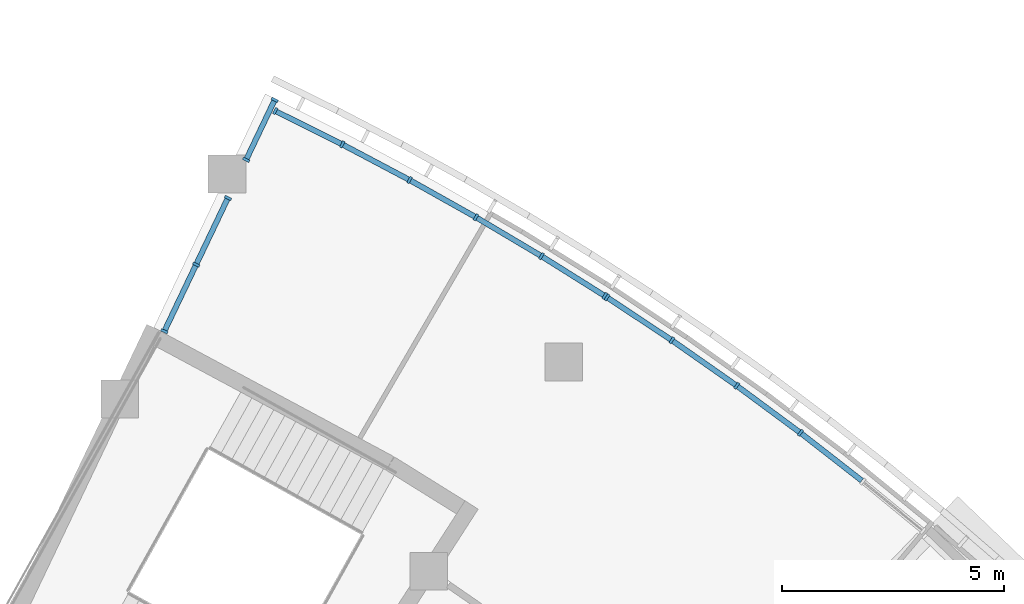
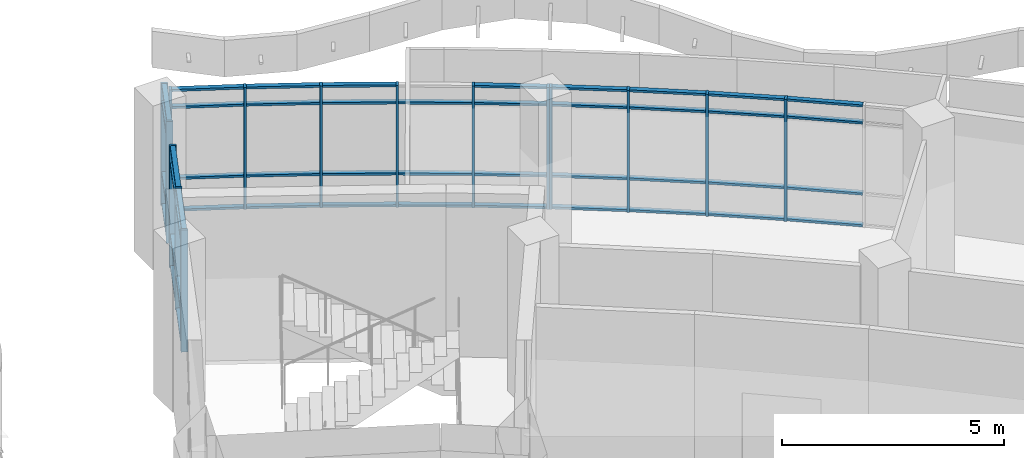
# One storey, part 33 of 136: 62 members, 4 elements without a shape of their own.
"""IFC4 building model written with IfcOpenShell, lengths in metres."""

from ifc_helpers import new_model, si_unit, direction, frame, origin, origin_2d, place, context, subcontext, project, spatial, rectangle, extrude, material, material_profile, profile_set, type_object, element, aggregate, save


model = new_model("IFC4")

# Units and contexts
model_context = context("Model", 3, precision=1e-05, world=origin(), true_north=direction((0.0, 1.0)))
body_context = subcontext(model_context, "Body", "Model", "MODEL_VIEW")
ifc_project = project(units=[si_unit("LENGTHUNIT", "METRE"), si_unit("AREAUNIT", "SQUARE_METRE"), si_unit("VOLUMEUNIT", "CUBIC_METRE"), si_unit("PLANEANGLEUNIT", "RADIAN"), si_unit("MASSUNIT", "GRAM", prefix="KILO")], contexts=[model_context])

# Site, building, storey
site_placement = place(None, origin())
site = spatial("IfcSite", under=ifc_project, at=site_placement, CompositionType="ELEMENT")
building_placement = place(site_placement, origin())
building = spatial("IfcBuilding", under=site, at=building_placement, Name="Bougainvillea Quay General Hospital", CompositionType="ELEMENT")
storey_placement = place(building_placement, frame((0.0, 0.0, 5.39990234375)))
storey = spatial("IfcBuildingStorey", under=building, at=storey_placement, Name="L01", CompositionType="ELEMENT", Elevation=5.39990234375)

# Curtain wall, members
ifc_material_1 = material(Name="Aluminium curtain wall system, powder-coated glazed", Category="aluminium")
curtain_wall_type_1 = type_object("IfcCurtainWallType", Name="Unitised curtain wall CW-2100", PredefinedType="NOTDEFINED", material=ifc_material_1)
curtain_wall_1_placement = place(storey_placement, origin())
curtain_wall_1 = element("IfcCurtainWall", 1, at=curtain_wall_1_placement, inside=storey, type_object=curtain_wall_type_1, Name="CW-E01 a23b0", PredefinedType="NOTDEFINED")
ifc_material_2 = material(Name="Aluminium mullion, powder-coated charcoal", Category="aluminium")
ifc_material_profile_1 = material_profile(ifc_material_2, rectangle(XDim=0.159912109375, YDim=0.06005859375, at=origin_2d()))
ifc_profile_set_1 = profile_set([ifc_material_profile_1], Name="Aluminium mullion, powder-coated charcoal")
member_type_1 = type_object("IfcMemberType", Name="Curtain wall mullion 160x60", PredefinedType="MULLION", material=ifc_profile_set_1)
member_1_placement = place(storey_placement, frame((139.560791015625, 84.795654296875, 0.0), z_axis=(0.0, 0.0, 1.0), x_axis=(0.445913540048, 0.895076038559, 0.0)))
member_1 = element("IfcMember", 2, at=member_1_placement, type_object=member_type_1, Name="CW-E01 mullion 1", PredefinedType="MULLION", context=body_context, shape_type="SweptSolid", body=[
    extrude(rectangle(XDim=0.159912109375, YDim=0.06005859375, at=origin_2d()), origin(), (0.0, 0.0, 1.0), 3.35009765625),
])
member_2_placement = place(storey_placement, frame((141.066650390625, 84.04541015625, 0.0), z_axis=(0.0, 0.0, 1.0), x_axis=(0.456867500117, 0.889534758926, 0.0)))
member_2 = element("IfcMember", 3, at=member_2_placement, type_object=member_type_1, Name="CW-E01 mullion 2", PredefinedType="MULLION", context=body_context, shape_type="SweptSolid", body=[
    extrude(rectangle(XDim=0.159912109375, YDim=0.06005859375, at=origin_2d()), origin(), (0.0, 0.0, 1.0), 3.35009765625),
])
member_3_placement = place(storey_placement, frame((142.580322265625, 83.244384765625, 0.0), z_axis=(0.0, 0.0, 1.0), x_axis=(0.478567236935, 0.878050909534, 0.0)))
member_3 = element("IfcMember", 4, at=member_3_placement, type_object=member_type_1, Name="CW-E01 mullion 3", PredefinedType="MULLION", context=body_context, shape_type="SweptSolid", body=[
    extrude(rectangle(XDim=0.159912109375, YDim=0.06005859375, at=origin_2d()), origin(), (0.0, 0.0, 1.0), 3.35009765625),
])
member_4_placement = place(storey_placement, frame((144.07373046875, 82.406494140625, 0.0), z_axis=(0.0, 0.0, 1.0), x_axis=(0.499978513836, 0.866037808472, 0.0)))
member_4 = element("IfcMember", 5, at=member_4_placement, type_object=member_type_1, Name="CW-E01 mullion 4", PredefinedType="MULLION", context=body_context, shape_type="SweptSolid", body=[
    extrude(rectangle(XDim=0.159912109375, YDim=0.06005859375, at=origin_2d()), origin(), (0.0, 0.0, 1.0), 3.35009765625),
])
member_5_placement = place(storey_placement, frame((145.546142578125, 81.5322265625, 0.0), z_axis=(0.0, 0.0, 1.0), x_axis=(0.521088424985, 0.853502696742, 0.0)))
member_5 = element("IfcMember", 6, at=member_5_placement, type_object=member_type_1, Name="CW-E01 mullion 5", PredefinedType="MULLION", context=body_context, shape_type="SweptSolid", body=[
    extrude(rectangle(XDim=0.159912109375, YDim=0.06005859375, at=origin_2d()), origin(), (0.0, 0.0, 1.0), 3.35009765625),
])
member_6_placement = place(storey_placement, frame((146.97119140625, 80.637939453125, 0.0), z_axis=(0.0, 0.0, 1.0), x_axis=(0.531526384812, 0.847041735837, 0.0)))
member_6 = element("IfcMember", 7, at=member_6_placement, type_object=member_type_1, Name="CW-E01 mullion 6", PredefinedType="MULLION", context=body_context, shape_type="SweptSolid", body=[
    extrude(rectangle(XDim=0.159912109375, YDim=0.06005859375, at=origin_2d()), origin(), (0.0, 0.0, 1.0), 3.35009765625),
])

curtain_wall_2_placement = place(storey_placement, origin())
curtain_wall_2 = element("IfcCurtainWall", 8, at=curtain_wall_2_placement, inside=storey, type_object=curtain_wall_type_1, Name="CW-E02 a23b1", PredefinedType="NOTDEFINED")
member_7_placement = place(storey_placement, frame((147.021728515625, 80.60546875, 0.0), z_axis=(0.0, 0.0, 1.0), x_axis=(0.552565563465, 0.833469434396, 0.0)))
member_7 = element("IfcMember", 9, at=member_7_placement, type_object=member_type_1, Name="CW-E02 mullion 1", PredefinedType="MULLION", context=body_context, shape_type="SweptSolid", body=[
    extrude(rectangle(XDim=0.159912109375, YDim=0.06005859375, at=origin_2d()), origin(), (0.0, 0.0, 1.0), 3.35009765625),
])
member_8_placement = place(storey_placement, frame((148.48046875, 79.63818359375, 0.0), z_axis=(0.0, 0.0, 1.0), x_axis=(0.56315688844, 0.826349997884, 0.0)))
member_8 = element("IfcMember", 10, at=member_8_placement, type_object=member_type_1, Name="CW-E02 mullion 2", PredefinedType="MULLION", context=body_context, shape_type="SweptSolid", body=[
    extrude(rectangle(XDim=0.159912109375, YDim=0.06005859375, at=origin_2d()), origin(), (0.0, 0.0, 1.0), 3.35009765625),
])
member_9_placement = place(storey_placement, frame((149.938720703125, 78.616943359375, 0.0), z_axis=(0.0, 0.0, 1.0), x_axis=(0.584062676911, 0.811708561886, 0.0)))
member_9 = element("IfcMember", 11, at=member_9_placement, type_object=member_type_1, Name="CW-E02 mullion 3", PredefinedType="MULLION", context=body_context, shape_type="SweptSolid", body=[
    extrude(rectangle(XDim=0.159912109375, YDim=0.06005859375, at=origin_2d()), origin(), (0.0, 0.0, 1.0), 3.35009765625),
])
member_10_placement = place(storey_placement, frame((151.370361328125, 77.558837890625, 0.0), z_axis=(0.0, 0.0, 1.0), x_axis=(0.604587993148, 0.796538359743, 0.0)))
member_10 = element("IfcMember", 12, at=member_10_placement, type_object=member_type_1, Name="CW-E02 mullion 4", PredefinedType="MULLION", context=body_context, shape_type="SweptSolid", body=[
    extrude(rectangle(XDim=0.159912109375, YDim=0.06005859375, at=origin_2d()), origin(), (0.0, 0.0, 1.0), 3.35009765625),
])

curtain_wall_type_2 = type_object("IfcCurtainWallType", Name="Unitised curtain wall CW-1555", PredefinedType="NOTDEFINED", material=ifc_material_1)
curtain_wall_3_placement = place(storey_placement, origin())
curtain_wall_3 = element("IfcCurtainWall", 13, at=curtain_wall_3_placement, inside=storey, type_object=curtain_wall_type_2, Name="CW-AE 00", PredefinedType="NOTDEFINED")
member_11_placement = place(storey_placement, frame((139.548828125, 85.04638671875, 0.0), z_axis=(0.0, 0.0, 1.0), x_axis=(0.902576055431, -0.430530445105, 0.0)))
member_11 = element("IfcMember", 14, at=member_11_placement, type_object=member_type_1, Name="CW-AE mullion 1", PredefinedType="MULLION", context=body_context, shape_type="SweptSolid", body=[
    extrude(rectangle(XDim=0.159912109375, YDim=0.06005859375, at=origin_2d()), origin(), (0.0, 0.0, 1.0), 3.35009765625),
])
member_12_placement = place(storey_placement, frame((138.9052734375, 83.697021484375, 0.0), z_axis=(0.0, 0.0, 1.0), x_axis=(0.902576055431, -0.430530445105, 0.0)))
member_12 = element("IfcMember", 15, at=member_12_placement, type_object=member_type_1, Name="CW-AE mullion 2", PredefinedType="MULLION", context=body_context, shape_type="SweptSolid", body=[
    extrude(rectangle(XDim=0.159912109375, YDim=0.06005859375, at=origin_2d()), origin(), (0.0, 0.0, 1.0), 3.35009765625),
])

curtain_wall_type_3 = type_object("IfcCurtainWallType", Name="Unitised curtain wall CW-1691", PredefinedType="NOTDEFINED", material=ifc_material_1)
curtain_wall_4_placement = place(storey_placement, origin())
curtain_wall_4 = element("IfcCurtainWall", 16, at=curtain_wall_4_placement, inside=storey, type_object=curtain_wall_type_3, Name="CW-AE 01", PredefinedType="NOTDEFINED")
member_13_placement = place(storey_placement, frame((138.49609375, 82.839599609375, 0.0), z_axis=(0.0, 0.0, 1.0), x_axis=(0.902576055431, -0.430530445105, 0.0)))
member_13 = element("IfcMember", 17, at=member_13_placement, type_object=member_type_1, Name="CW-AE mullion 1", PredefinedType="MULLION", context=body_context, shape_type="SweptSolid", body=[
    extrude(rectangle(XDim=0.159912109375, YDim=0.06005859375, at=origin_2d()), origin(), (0.0, 0.0, 1.0), 3.35009765625),
])
member_14_placement = place(storey_placement, frame((137.78125, 81.341064453125, 0.0), z_axis=(0.0, 0.0, 1.0), x_axis=(0.902576055431, -0.430530445105, 0.0)))
member_14 = element("IfcMember", 18, at=member_14_placement, type_object=member_type_1, Name="CW-AE mullion 2", PredefinedType="MULLION", context=body_context, shape_type="SweptSolid", body=[
    extrude(rectangle(XDim=0.159912109375, YDim=0.06005859375, at=origin_2d()), origin(), (0.0, 0.0, 1.0), 3.35009765625),
])
member_15_placement = place(storey_placement, frame((137.066650390625, 79.842529296875, 0.0), z_axis=(0.0, 0.0, 1.0), x_axis=(0.902576055431, -0.430530445105, 0.0)))
member_15 = element("IfcMember", 19, at=member_15_placement, type_object=member_type_1, Name="CW-AE mullion 3", PredefinedType="MULLION", context=body_context, shape_type="SweptSolid", body=[
    extrude(rectangle(XDim=0.159912109375, YDim=0.06005859375, at=origin_2d()), origin(), (0.0, 0.0, 1.0), 3.35009765625),
])

# Member
ifc_material_3 = material(Name="Aluminium transom, powder-coated charcoal", Category="aluminium")
ifc_material_profile_2 = material_profile(ifc_material_3, rectangle(XDim=0.1201171875, YDim=0.06005859375, at=origin_2d()))
ifc_profile_set_2 = profile_set([ifc_material_profile_2], Name="Aluminium transom, powder-coated charcoal")
member_type_2 = type_object("IfcMemberType", Name="Curtain wall transom 120x60", PredefinedType="USERDEFINED", material=ifc_profile_set_2)
member_16_placement = place(storey_placement, frame((139.587646484375, 84.7822265625, 0.030029296875), z_axis=(0.89508834729, -0.445888832048, 0.0), x_axis=(0.445888832048, 0.89508834729, 0.0)))
member_16 = element("IfcMember", 20, at=member_16_placement, type_object=member_type_2, Name="CW-E01 transom 1.1", ObjectType="TRANSOM", PredefinedType="USERDEFINED", context=body_context, shape_type="SweptSolid", body=[
    extrude(rectangle(XDim=0.1201171875, YDim=0.06005859375, at=origin_2d()), origin(), (0.0, 0.0, 1.0), 1.622314453125),
])

member_17_placement = place(storey_placement, frame((139.587646484375, 84.7822265625, 0.900146484375), z_axis=(0.89508834729, -0.445888832048, 0.0), x_axis=(0.445888832048, 0.89508834729, 0.0)))
member_17 = element("IfcMember", 21, at=member_17_placement, type_object=member_type_2, Name="CW-E01 transom 1.2", ObjectType="TRANSOM", PredefinedType="USERDEFINED", context=body_context, shape_type="SweptSolid", body=[
    extrude(rectangle(XDim=0.1201171875, YDim=0.06005859375, at=origin_2d()), origin(), (0.0, 0.0, 1.0), 1.622314453125),
])

member_18_placement = place(storey_placement, frame((139.587646484375, 84.7822265625, 2.85009765625), z_axis=(0.89508834729, -0.445888832048, 0.0), x_axis=(0.445888832048, 0.89508834729, 0.0)))
member_18 = element("IfcMember", 22, at=member_18_placement, type_object=member_type_2, Name="CW-E01 transom 1.3", ObjectType="TRANSOM", PredefinedType="USERDEFINED", context=body_context, shape_type="SweptSolid", body=[
    extrude(rectangle(XDim=0.1201171875, YDim=0.06005859375, at=origin_2d()), origin(), (0.0, 0.0, 1.0), 1.622314453125),
])

member_19_placement = place(storey_placement, frame((139.587646484375, 84.7822265625, 3.320068359375), z_axis=(0.89508834729, -0.445888832048, 0.0), x_axis=(0.445888832048, 0.89508834729, 0.0)))
member_19 = element("IfcMember", 23, at=member_19_placement, type_object=member_type_2, Name="CW-E01 transom 1.4", ObjectType="TRANSOM", PredefinedType="USERDEFINED", context=body_context, shape_type="SweptSolid", body=[
    extrude(rectangle(XDim=0.1201171875, YDim=0.06005859375, at=origin_2d()), origin(), (0.0, 0.0, 1.0), 1.622314453125),
])

member_20_placement = place(storey_placement, frame((141.09326171875, 84.031494140625, 0.030029296875), z_axis=(0.883845412695, -0.467779100066, 0.0), x_axis=(0.467779100066, 0.883845412695, 0.0)))
member_20 = element("IfcMember", 24, at=member_20_placement, type_object=member_type_2, Name="CW-E01 transom 2.1", ObjectType="TRANSOM", PredefinedType="USERDEFINED", context=body_context, shape_type="SweptSolid", body=[
    extrude(rectangle(XDim=0.1201171875, YDim=0.06005859375, at=origin_2d()), origin(), (0.0, 0.0, 1.0), 1.65234375),
])

member_21_placement = place(storey_placement, frame((141.09326171875, 84.031494140625, 0.900146484375), z_axis=(0.883845412695, -0.467779100066, 0.0), x_axis=(0.467779100066, 0.883845412695, 0.0)))
member_21 = element("IfcMember", 25, at=member_21_placement, type_object=member_type_2, Name="CW-E01 transom 2.2", ObjectType="TRANSOM", PredefinedType="USERDEFINED", context=body_context, shape_type="SweptSolid", body=[
    extrude(rectangle(XDim=0.1201171875, YDim=0.06005859375, at=origin_2d()), origin(), (0.0, 0.0, 1.0), 1.65234375),
])

member_22_placement = place(storey_placement, frame((141.09326171875, 84.031494140625, 2.85009765625), z_axis=(0.883845412695, -0.467779100066, 0.0), x_axis=(0.467779100066, 0.883845412695, 0.0)))
member_22 = element("IfcMember", 26, at=member_22_placement, type_object=member_type_2, Name="CW-E01 transom 2.3", ObjectType="TRANSOM", PredefinedType="USERDEFINED", context=body_context, shape_type="SweptSolid", body=[
    extrude(rectangle(XDim=0.1201171875, YDim=0.06005859375, at=origin_2d()), origin(), (0.0, 0.0, 1.0), 1.65234375),
])

member_23_placement = place(storey_placement, frame((141.09326171875, 84.031494140625, 3.320068359375), z_axis=(0.883845412695, -0.467779100066, 0.0), x_axis=(0.467779100066, 0.883845412695, 0.0)))
member_23 = element("IfcMember", 27, at=member_23_placement, type_object=member_type_2, Name="CW-E01 transom 2.4", ObjectType="TRANSOM", PredefinedType="USERDEFINED", context=body_context, shape_type="SweptSolid", body=[
    extrude(rectangle(XDim=0.1201171875, YDim=0.06005859375, at=origin_2d()), origin(), (0.0, 0.0, 1.0), 1.65234375),
])

member_24_placement = place(storey_placement, frame((142.6064453125, 83.229736328125, 0.030029296875), z_axis=(0.872107674889, -0.489314013084, 0.0), x_axis=(0.489314013084, 0.872107674889, 0.0)))
member_24 = element("IfcMember", 28, at=member_24_placement, type_object=member_type_2, Name="CW-E01 transom 3.1", ObjectType="TRANSOM", PredefinedType="USERDEFINED", context=body_context, shape_type="SweptSolid", body=[
    extrude(rectangle(XDim=0.1201171875, YDim=0.06005859375, at=origin_2d()), origin(), (0.0, 0.0, 1.0), 1.652587890625),
])

member_25_placement = place(storey_placement, frame((142.6064453125, 83.229736328125, 0.900146484375), z_axis=(0.872107674889, -0.489314013084, 0.0), x_axis=(0.489314013084, 0.872107674889, 0.0)))
member_25 = element("IfcMember", 29, at=member_25_placement, type_object=member_type_2, Name="CW-E01 transom 3.2", ObjectType="TRANSOM", PredefinedType="USERDEFINED", context=body_context, shape_type="SweptSolid", body=[
    extrude(rectangle(XDim=0.1201171875, YDim=0.06005859375, at=origin_2d()), origin(), (0.0, 0.0, 1.0), 1.652587890625),
])

member_26_placement = place(storey_placement, frame((142.6064453125, 83.229736328125, 2.85009765625), z_axis=(0.872107674889, -0.489314013084, 0.0), x_axis=(0.489314013084, 0.872107674889, 0.0)))
member_26 = element("IfcMember", 30, at=member_26_placement, type_object=member_type_2, Name="CW-E01 transom 3.3", ObjectType="TRANSOM", PredefinedType="USERDEFINED", context=body_context, shape_type="SweptSolid", body=[
    extrude(rectangle(XDim=0.1201171875, YDim=0.06005859375, at=origin_2d()), origin(), (0.0, 0.0, 1.0), 1.652587890625),
])

member_27_placement = place(storey_placement, frame((142.6064453125, 83.229736328125, 3.320068359375), z_axis=(0.872107674889, -0.489314013084, 0.0), x_axis=(0.489314013084, 0.872107674889, 0.0)))
member_27 = element("IfcMember", 31, at=member_27_placement, type_object=member_type_2, Name="CW-E01 transom 3.4", ObjectType="TRANSOM", PredefinedType="USERDEFINED", context=body_context, shape_type="SweptSolid", body=[
    extrude(rectangle(XDim=0.1201171875, YDim=0.06005859375, at=origin_2d()), origin(), (0.0, 0.0, 1.0), 1.652587890625),
])

member_28_placement = place(storey_placement, frame((144.099609375, 82.39111328125, 0.030029296875), z_axis=(0.859856770964, -0.510535340038, 0.0), x_axis=(0.510535340038, 0.859856770964, 0.0)))
member_28 = element("IfcMember", 32, at=member_28_placement, type_object=member_type_2, Name="CW-E01 transom 4.1", ObjectType="TRANSOM", PredefinedType="USERDEFINED", context=body_context, shape_type="SweptSolid", body=[
    extrude(rectangle(XDim=0.1201171875, YDim=0.06005859375, at=origin_2d()), origin(), (0.0, 0.0, 1.0), 1.652099609375),
])

member_29_placement = place(storey_placement, frame((144.099609375, 82.39111328125, 0.900146484375), z_axis=(0.859856770964, -0.510535340038, 0.0), x_axis=(0.510535340038, 0.859856770964, 0.0)))
member_29 = element("IfcMember", 33, at=member_29_placement, type_object=member_type_2, Name="CW-E01 transom 4.2", ObjectType="TRANSOM", PredefinedType="USERDEFINED", context=body_context, shape_type="SweptSolid", body=[
    extrude(rectangle(XDim=0.1201171875, YDim=0.06005859375, at=origin_2d()), origin(), (0.0, 0.0, 1.0), 1.652099609375),
])

member_30_placement = place(storey_placement, frame((144.099609375, 82.39111328125, 2.85009765625), z_axis=(0.859856770964, -0.510535340038, 0.0), x_axis=(0.510535340038, 0.859856770964, 0.0)))
member_30 = element("IfcMember", 34, at=member_30_placement, type_object=member_type_2, Name="CW-E01 transom 4.3", ObjectType="TRANSOM", PredefinedType="USERDEFINED", context=body_context, shape_type="SweptSolid", body=[
    extrude(rectangle(XDim=0.1201171875, YDim=0.06005859375, at=origin_2d()), origin(), (0.0, 0.0, 1.0), 1.652099609375),
])

member_31_placement = place(storey_placement, frame((145.571533203125, 81.516357421875, 0.030029296875), z_axis=(0.846990831141, -0.531607498032, 0.0), x_axis=(0.531607498032, 0.846990831141, 0.0)))
member_31 = element("IfcMember", 35, at=member_31_placement, type_object=member_type_2, Name="CW-E01 transom 5.1", ObjectType="TRANSOM", PredefinedType="USERDEFINED", context=body_context, shape_type="SweptSolid", body=[
    extrude(rectangle(XDim=0.1201171875, YDim=0.06005859375, at=origin_2d()), origin(), (0.0, 0.0, 1.0), 1.62255859375),
])

member_32_placement = place(storey_placement, frame((145.571533203125, 81.516357421875, 0.900146484375), z_axis=(0.846990831141, -0.531607498032, 0.0), x_axis=(0.531607498032, 0.846990831141, 0.0)))
member_32 = element("IfcMember", 36, at=member_32_placement, type_object=member_type_2, Name="CW-E01 transom 5.2", ObjectType="TRANSOM", PredefinedType="USERDEFINED", context=body_context, shape_type="SweptSolid", body=[
    extrude(rectangle(XDim=0.1201171875, YDim=0.06005859375, at=origin_2d()), origin(), (0.0, 0.0, 1.0), 1.62255859375),
])

member_33_placement = place(storey_placement, frame((145.571533203125, 81.516357421875, 2.85009765625), z_axis=(0.846990831141, -0.531607498032, 0.0), x_axis=(0.531607498032, 0.846990831141, 0.0)))
member_33 = element("IfcMember", 37, at=member_33_placement, type_object=member_type_2, Name="CW-E01 transom 5.3", ObjectType="TRANSOM", PredefinedType="USERDEFINED", context=body_context, shape_type="SweptSolid", body=[
    extrude(rectangle(XDim=0.1201171875, YDim=0.06005859375, at=origin_2d()), origin(), (0.0, 0.0, 1.0), 1.62255859375),
])

member_34_placement = place(storey_placement, frame((145.571533203125, 81.516357421875, 3.320068359375), z_axis=(0.846990831141, -0.531607498032, 0.0), x_axis=(0.531607498032, 0.846990831141, 0.0)))
member_34 = element("IfcMember", 38, at=member_34_placement, type_object=member_type_2, Name="CW-E01 transom 5.4", ObjectType="TRANSOM", PredefinedType="USERDEFINED", context=body_context, shape_type="SweptSolid", body=[
    extrude(rectangle(XDim=0.1201171875, YDim=0.06005859375, at=origin_2d()), origin(), (0.0, 0.0, 1.0), 1.62255859375),
])

aggregate(curtain_wall_1, [member_1, member_2, member_3, member_4, member_5, member_6, member_16, member_17, member_18, member_19, member_20, member_21, member_22, member_23, member_24, member_25, member_26, member_27, member_28, member_29, member_30, member_31, member_32, member_33, member_34])

member_35_placement = place(storey_placement, frame((147.046630859375, 80.5888671875, 0.030029296875), z_axis=(0.833469578901, -0.552565345499, 0.0), x_axis=(0.552565345499, 0.833469578901, 0.0)))
member_35 = element("IfcMember", 39, at=member_35_placement, type_object=member_type_2, Name="CW-E02 transom 1.1", ObjectType="TRANSOM", PredefinedType="USERDEFINED", context=body_context, shape_type="SweptSolid", body=[
    extrude(rectangle(XDim=0.1201171875, YDim=0.06005859375, at=origin_2d()), origin(), (0.0, 0.0, 1.0), 1.6904296875),
])

member_36_placement = place(storey_placement, frame((147.046630859375, 80.5888671875, 0.900146484375), z_axis=(0.833469578901, -0.552565345499, 0.0), x_axis=(0.552565345499, 0.833469578901, 0.0)))
member_36 = element("IfcMember", 40, at=member_36_placement, type_object=member_type_2, Name="CW-E02 transom 1.2", ObjectType="TRANSOM", PredefinedType="USERDEFINED", context=body_context, shape_type="SweptSolid", body=[
    extrude(rectangle(XDim=0.1201171875, YDim=0.06005859375, at=origin_2d()), origin(), (0.0, 0.0, 1.0), 1.6904296875),
])

member_37_placement = place(storey_placement, frame((147.046630859375, 80.5888671875, 2.85009765625), z_axis=(0.833469578901, -0.552565345499, 0.0), x_axis=(0.552565345499, 0.833469578901, 0.0)))
member_37 = element("IfcMember", 41, at=member_37_placement, type_object=member_type_2, Name="CW-E02 transom 1.3", ObjectType="TRANSOM", PredefinedType="USERDEFINED", context=body_context, shape_type="SweptSolid", body=[
    extrude(rectangle(XDim=0.1201171875, YDim=0.06005859375, at=origin_2d()), origin(), (0.0, 0.0, 1.0), 1.6904296875),
])

member_38_placement = place(storey_placement, frame((147.046630859375, 80.5888671875, 3.320068359375), z_axis=(0.833469578901, -0.552565345499, 0.0), x_axis=(0.552565345499, 0.833469578901, 0.0)))
member_38 = element("IfcMember", 42, at=member_38_placement, type_object=member_type_2, Name="CW-E02 transom 1.4", ObjectType="TRANSOM", PredefinedType="USERDEFINED", context=body_context, shape_type="SweptSolid", body=[
    extrude(rectangle(XDim=0.1201171875, YDim=0.06005859375, at=origin_2d()), origin(), (0.0, 0.0, 1.0), 1.6904296875),
])

member_39_placement = place(storey_placement, frame((148.505126953125, 79.62109375, 0.030029296875), z_axis=(0.819078530526, -0.573681410568, 0.0), x_axis=(0.573681410568, 0.819078530526, 0.0)))
member_39 = element("IfcMember", 43, at=member_39_placement, type_object=member_type_2, Name="CW-E02 transom 2.1", ObjectType="TRANSOM", PredefinedType="USERDEFINED", context=body_context, shape_type="SweptSolid", body=[
    extrude(rectangle(XDim=0.1201171875, YDim=0.06005859375, at=origin_2d()), origin(), (0.0, 0.0, 1.0), 1.72021484375),
])

member_40_placement = place(storey_placement, frame((148.505126953125, 79.62109375, 0.900146484375), z_axis=(0.819078530526, -0.573681410568, 0.0), x_axis=(0.573681410568, 0.819078530526, 0.0)))
member_40 = element("IfcMember", 44, at=member_40_placement, type_object=member_type_2, Name="CW-E02 transom 2.2", ObjectType="TRANSOM", PredefinedType="USERDEFINED", context=body_context, shape_type="SweptSolid", body=[
    extrude(rectangle(XDim=0.1201171875, YDim=0.06005859375, at=origin_2d()), origin(), (0.0, 0.0, 1.0), 1.72021484375),
])

member_41_placement = place(storey_placement, frame((148.505126953125, 79.62109375, 2.85009765625), z_axis=(0.819078530526, -0.573681410568, 0.0), x_axis=(0.573681410568, 0.819078530526, 0.0)))
member_41 = element("IfcMember", 45, at=member_41_placement, type_object=member_type_2, Name="CW-E02 transom 2.3", ObjectType="TRANSOM", PredefinedType="USERDEFINED", context=body_context, shape_type="SweptSolid", body=[
    extrude(rectangle(XDim=0.1201171875, YDim=0.06005859375, at=origin_2d()), origin(), (0.0, 0.0, 1.0), 1.72021484375),
])

member_42_placement = place(storey_placement, frame((148.505126953125, 79.62109375, 3.320068359375), z_axis=(0.819078530526, -0.573681410568, 0.0), x_axis=(0.573681410568, 0.819078530526, 0.0)))
member_42 = element("IfcMember", 46, at=member_42_placement, type_object=member_type_2, Name="CW-E02 transom 2.4", ObjectType="TRANSOM", PredefinedType="USERDEFINED", context=body_context, shape_type="SweptSolid", body=[
    extrude(rectangle(XDim=0.1201171875, YDim=0.06005859375, at=origin_2d()), origin(), (0.0, 0.0, 1.0), 1.72021484375),
])

member_43_placement = place(storey_placement, frame((149.962890625, 78.59912109375, 0.030029296875), z_axis=(0.804170242173, -0.594399042397, 0.0), x_axis=(0.594399042397, 0.804170242173, 0.0)))
member_43 = element("IfcMember", 47, at=member_43_placement, type_object=member_type_2, Name="CW-E02 transom 3.1", ObjectType="TRANSOM", PredefinedType="USERDEFINED", context=body_context, shape_type="SweptSolid", body=[
    extrude(rectangle(XDim=0.1201171875, YDim=0.06005859375, at=origin_2d()), origin(), (0.0, 0.0, 1.0), 1.72021484375),
])

member_44_placement = place(storey_placement, frame((149.962890625, 78.59912109375, 0.900146484375), z_axis=(0.804170242173, -0.594399042397, 0.0), x_axis=(0.594399042397, 0.804170242173, 0.0)))
member_44 = element("IfcMember", 48, at=member_44_placement, type_object=member_type_2, Name="CW-E02 transom 3.2", ObjectType="TRANSOM", PredefinedType="USERDEFINED", context=body_context, shape_type="SweptSolid", body=[
    extrude(rectangle(XDim=0.1201171875, YDim=0.06005859375, at=origin_2d()), origin(), (0.0, 0.0, 1.0), 1.72021484375),
])

member_45_placement = place(storey_placement, frame((149.962890625, 78.59912109375, 2.85009765625), z_axis=(0.804170242173, -0.594399042397, 0.0), x_axis=(0.594399042397, 0.804170242173, 0.0)))
member_45 = element("IfcMember", 49, at=member_45_placement, type_object=member_type_2, Name="CW-E02 transom 3.3", ObjectType="TRANSOM", PredefinedType="USERDEFINED", context=body_context, shape_type="SweptSolid", body=[
    extrude(rectangle(XDim=0.1201171875, YDim=0.06005859375, at=origin_2d()), origin(), (0.0, 0.0, 1.0), 1.72021484375),
])

member_46_placement = place(storey_placement, frame((149.962890625, 78.59912109375, 3.320068359375), z_axis=(0.804170242173, -0.594399042397, 0.0), x_axis=(0.594399042397, 0.804170242173, 0.0)))
member_46 = element("IfcMember", 50, at=member_46_placement, type_object=member_type_2, Name="CW-E02 transom 3.4", ObjectType="TRANSOM", PredefinedType="USERDEFINED", context=body_context, shape_type="SweptSolid", body=[
    extrude(rectangle(XDim=0.1201171875, YDim=0.06005859375, at=origin_2d()), origin(), (0.0, 0.0, 1.0), 1.72021484375),
])

member_47_placement = place(storey_placement, frame((151.39404296875, 77.54052734375, 0.030029296875), z_axis=(0.788740407728, -0.614726418188, 0.0), x_axis=(0.614726418188, 0.788740407728, 0.0)))
member_47 = element("IfcMember", 51, at=member_47_placement, type_object=member_type_2, Name="CW-E02 transom 4.1", ObjectType="TRANSOM", PredefinedType="USERDEFINED", context=body_context, shape_type="SweptSolid", body=[
    extrude(rectangle(XDim=0.1201171875, YDim=0.06005859375, at=origin_2d()), origin(), (0.0, 0.0, 1.0), 1.719970703125),
])

member_48_placement = place(storey_placement, frame((151.39404296875, 77.54052734375, 0.900146484375), z_axis=(0.788740407728, -0.614726418188, 0.0), x_axis=(0.614726418188, 0.788740407728, 0.0)))
member_48 = element("IfcMember", 52, at=member_48_placement, type_object=member_type_2, Name="CW-E02 transom 4.2", ObjectType="TRANSOM", PredefinedType="USERDEFINED", context=body_context, shape_type="SweptSolid", body=[
    extrude(rectangle(XDim=0.1201171875, YDim=0.06005859375, at=origin_2d()), origin(), (0.0, 0.0, 1.0), 1.719970703125),
])

member_49_placement = place(storey_placement, frame((151.39404296875, 77.54052734375, 2.85009765625), z_axis=(0.788740407728, -0.614726418188, 0.0), x_axis=(0.614726418188, 0.788740407728, 0.0)))
member_49 = element("IfcMember", 53, at=member_49_placement, type_object=member_type_2, Name="CW-E02 transom 4.3", ObjectType="TRANSOM", PredefinedType="USERDEFINED", context=body_context, shape_type="SweptSolid", body=[
    extrude(rectangle(XDim=0.1201171875, YDim=0.06005859375, at=origin_2d()), origin(), (0.0, 0.0, 1.0), 1.719970703125),
])

member_50_placement = place(storey_placement, frame((151.39404296875, 77.54052734375, 3.320068359375), z_axis=(0.788740407728, -0.614726418188, 0.0), x_axis=(0.614726418188, 0.788740407728, 0.0)))
member_50 = element("IfcMember", 54, at=member_50_placement, type_object=member_type_2, Name="CW-E02 transom 4.4", ObjectType="TRANSOM", PredefinedType="USERDEFINED", context=body_context, shape_type="SweptSolid", body=[
    extrude(rectangle(XDim=0.1201171875, YDim=0.06005859375, at=origin_2d()), origin(), (0.0, 0.0, 1.0), 1.719970703125),
])

aggregate(curtain_wall_2, [member_7, member_8, member_9, member_10, member_35, member_36, member_37, member_38, member_39, member_40, member_41, member_42, member_43, member_44, member_45, member_46, member_47, member_48, member_49, member_50])

member_51_placement = place(storey_placement, frame((139.535888671875, 85.019287109375, 0.030029296875), z_axis=(-0.430600462942, -0.90254265346, 0.0), x_axis=(0.90254265346, -0.430600462942, 0.0)))
member_51 = element("IfcMember", 55, at=member_51_placement, type_object=member_type_2, Name="CW-AE transom 1.1", ObjectType="TRANSOM", PredefinedType="USERDEFINED", context=body_context, shape_type="SweptSolid", body=[
    extrude(rectangle(XDim=0.1201171875, YDim=0.06005859375, at=origin_2d()), origin(), (0.0, 0.0, 1.0), 1.43505859375),
])

member_52_placement = place(storey_placement, frame((139.535888671875, 85.019287109375, 0.900146484375), z_axis=(-0.430600462942, -0.90254265346, 0.0), x_axis=(0.90254265346, -0.430600462942, 0.0)))
member_52 = element("IfcMember", 56, at=member_52_placement, type_object=member_type_2, Name="CW-AE transom 1.2", ObjectType="TRANSOM", PredefinedType="USERDEFINED", context=body_context, shape_type="SweptSolid", body=[
    extrude(rectangle(XDim=0.1201171875, YDim=0.06005859375, at=origin_2d()), origin(), (0.0, 0.0, 1.0), 1.43505859375),
])

member_53_placement = place(storey_placement, frame((139.535888671875, 85.019287109375, 2.85009765625), z_axis=(-0.430600462942, -0.90254265346, 0.0), x_axis=(0.90254265346, -0.430600462942, 0.0)))
member_53 = element("IfcMember", 57, at=member_53_placement, type_object=member_type_2, Name="CW-AE transom 1.3", ObjectType="TRANSOM", PredefinedType="USERDEFINED", context=body_context, shape_type="SweptSolid", body=[
    extrude(rectangle(XDim=0.1201171875, YDim=0.06005859375, at=origin_2d()), origin(), (0.0, 0.0, 1.0), 1.43505859375),
])

member_54_placement = place(storey_placement, frame((139.535888671875, 85.019287109375, 3.320068359375), z_axis=(-0.430600462942, -0.90254265346, 0.0), x_axis=(0.90254265346, -0.430600462942, 0.0)))
member_54 = element("IfcMember", 58, at=member_54_placement, type_object=member_type_2, Name="CW-AE transom 1.4", ObjectType="TRANSOM", PredefinedType="USERDEFINED", context=body_context, shape_type="SweptSolid", body=[
    extrude(rectangle(XDim=0.1201171875, YDim=0.06005859375, at=origin_2d()), origin(), (0.0, 0.0, 1.0), 1.43505859375),
])

aggregate(curtain_wall_3, [member_11, member_12, member_51, member_52, member_53, member_54])

member_55_placement = place(storey_placement, frame((138.483154296875, 82.8125, 0.030029296875), z_axis=(-0.430537538796, -0.902572671693, 0.0), x_axis=(0.902572671693, -0.430537538796, 0.0)))
member_55 = element("IfcMember", 59, at=member_55_placement, type_object=member_type_2, Name="CW-AE transom 1.1", ObjectType="TRANSOM", PredefinedType="USERDEFINED", context=body_context, shape_type="SweptSolid", body=[
    extrude(rectangle(XDim=0.1201171875, YDim=0.06005859375, at=origin_2d()), origin(), (0.0, 0.0, 1.0), 1.600341796875),
])

member_56_placement = place(storey_placement, frame((138.483154296875, 82.8125, 0.900146484375), z_axis=(-0.430537538796, -0.902572671693, 0.0), x_axis=(0.902572671693, -0.430537538796, 0.0)))
member_56 = element("IfcMember", 60, at=member_56_placement, type_object=member_type_2, Name="CW-AE transom 1.2", ObjectType="TRANSOM", PredefinedType="USERDEFINED", context=body_context, shape_type="SweptSolid", body=[
    extrude(rectangle(XDim=0.1201171875, YDim=0.06005859375, at=origin_2d()), origin(), (0.0, 0.0, 1.0), 1.600341796875),
])

member_57_placement = place(storey_placement, frame((138.483154296875, 82.8125, 2.85009765625), z_axis=(-0.430537538796, -0.902572671693, 0.0), x_axis=(0.902572671693, -0.430537538796, 0.0)))
member_57 = element("IfcMember", 61, at=member_57_placement, type_object=member_type_2, Name="CW-AE transom 1.3", ObjectType="TRANSOM", PredefinedType="USERDEFINED", context=body_context, shape_type="SweptSolid", body=[
    extrude(rectangle(XDim=0.1201171875, YDim=0.06005859375, at=origin_2d()), origin(), (0.0, 0.0, 1.0), 1.600341796875),
])

member_58_placement = place(storey_placement, frame((138.483154296875, 82.8125, 3.320068359375), z_axis=(-0.430537538796, -0.902572671693, 0.0), x_axis=(0.902572671693, -0.430537538796, 0.0)))
member_58 = element("IfcMember", 62, at=member_58_placement, type_object=member_type_2, Name="CW-AE transom 1.4", ObjectType="TRANSOM", PredefinedType="USERDEFINED", context=body_context, shape_type="SweptSolid", body=[
    extrude(rectangle(XDim=0.1201171875, YDim=0.06005859375, at=origin_2d()), origin(), (0.0, 0.0, 1.0), 1.600341796875),
])

member_59_placement = place(storey_placement, frame((137.768310546875, 81.31396484375, 0.030029296875), z_axis=(-0.430537538796, -0.902572671693, 0.0), x_axis=(0.902572671693, -0.430537538796, 0.0)))
member_59 = element("IfcMember", 63, at=member_59_placement, type_object=member_type_2, Name="CW-AE transom 2.1", ObjectType="TRANSOM", PredefinedType="USERDEFINED", context=body_context, shape_type="SweptSolid", body=[
    extrude(rectangle(XDim=0.1201171875, YDim=0.06005859375, at=origin_2d()), origin(), (0.0, 0.0, 1.0), 1.600341796875),
])

member_60_placement = place(storey_placement, frame((137.768310546875, 81.31396484375, 0.900146484375), z_axis=(-0.430537538796, -0.902572671693, 0.0), x_axis=(0.902572671693, -0.430537538796, 0.0)))
member_60 = element("IfcMember", 64, at=member_60_placement, type_object=member_type_2, Name="CW-AE transom 2.2", ObjectType="TRANSOM", PredefinedType="USERDEFINED", context=body_context, shape_type="SweptSolid", body=[
    extrude(rectangle(XDim=0.1201171875, YDim=0.06005859375, at=origin_2d()), origin(), (0.0, 0.0, 1.0), 1.600341796875),
])

member_61_placement = place(storey_placement, frame((137.768310546875, 81.31396484375, 2.85009765625), z_axis=(-0.430537538796, -0.902572671693, 0.0), x_axis=(0.902572671693, -0.430537538796, 0.0)))
member_61 = element("IfcMember", 65, at=member_61_placement, type_object=member_type_2, Name="CW-AE transom 2.3", ObjectType="TRANSOM", PredefinedType="USERDEFINED", context=body_context, shape_type="SweptSolid", body=[
    extrude(rectangle(XDim=0.1201171875, YDim=0.06005859375, at=origin_2d()), origin(), (0.0, 0.0, 1.0), 1.600341796875),
])

member_62_placement = place(storey_placement, frame((137.768310546875, 81.31396484375, 3.320068359375), z_axis=(-0.430537538796, -0.902572671693, 0.0), x_axis=(0.902572671693, -0.430537538796, 0.0)))
member_62 = element("IfcMember", 66, at=member_62_placement, type_object=member_type_2, Name="CW-AE transom 2.4", ObjectType="TRANSOM", PredefinedType="USERDEFINED", context=body_context, shape_type="SweptSolid", body=[
    extrude(rectangle(XDim=0.1201171875, YDim=0.06005859375, at=origin_2d()), origin(), (0.0, 0.0, 1.0), 1.600341796875),
])

aggregate(curtain_wall_4, [member_13, member_14, member_15, member_55, member_56, member_57, member_58, member_59, member_60, member_61, member_62])

save(model, "model.ifc")
